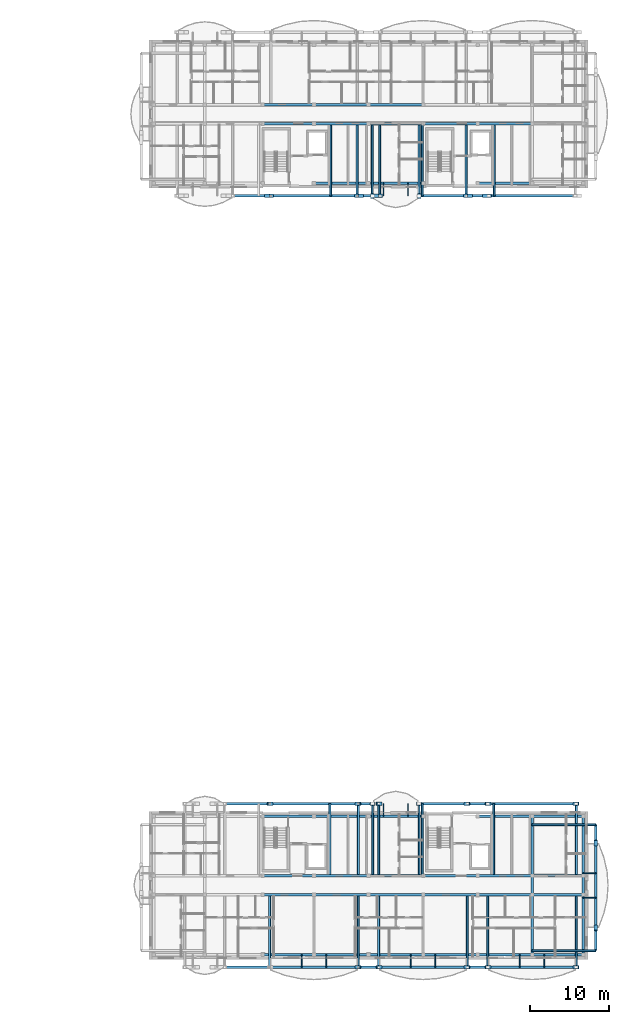
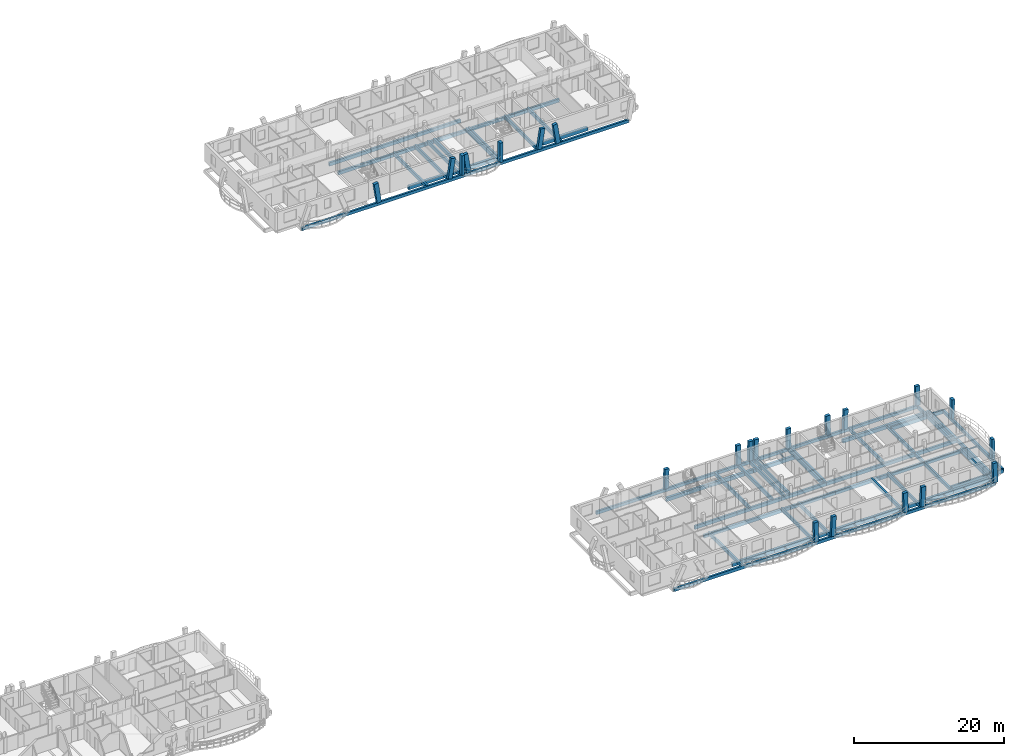
# One storey, part 7 of 52: 80 beams, 22 members.
"""IFC4 building model written with IfcOpenShell, lengths in metres."""

from ifc_helpers import new_model, si_unit, direction, frame, origin, origin_2d, place, context, subcontext, project, spatial, rectangle, i_section, extrude, material, material_profile, profile_set, type_object, element, save


model = new_model("IFC4")

# Units and contexts
model_context = context("Model", 3, precision=1e-05, world=origin(), true_north=direction((0.0, 1.0)))
body_context = subcontext(model_context, "Body", "Model", "MODEL_VIEW")
ifc_project = project(units=[si_unit("LENGTHUNIT", "METRE"), si_unit("AREAUNIT", "SQUARE_METRE"), si_unit("VOLUMEUNIT", "CUBIC_METRE"), si_unit("PLANEANGLEUNIT", "RADIAN"), si_unit("MASSUNIT", "GRAM", prefix="KILO")], contexts=[model_context])

# Site, building, storey
site_placement = place(None, origin())
site = spatial("IfcSite", under=ifc_project, at=site_placement, CompositionType="ELEMENT")
building_placement = place(site_placement, origin())
building = spatial("IfcBuilding", under=site, at=building_placement, Name="Zavelmont Quarter", CompositionType="ELEMENT")
storey_placement = place(building_placement, frame((0.0, 0.0, 14.39990234375)))
storey = spatial("IfcBuildingStorey", under=building, at=storey_placement, Name="L04", CompositionType="ELEMENT", Elevation=14.39990234375)

# Beams
ifc_material_1 = material(Name="Concrete C35/45", Category="concrete")
ifc_material_profile_1 = material_profile(ifc_material_1, rectangle(XDim=0.35009765625, YDim=0.60009765625, at=origin_2d()), Name="RC350X600")
ifc_profile_set_1 = profile_set([ifc_material_profile_1], Name="Concrete C35/45")
beam_type_1 = type_object("IfcBeamType", Name="BM01", PredefinedType="SPANDREL", material=ifc_profile_set_1)
beam_1_placement = place(storey_placement, frame((133.5, 98.0400390625, -0.559814453125), z_axis=(1.0, 0.0, 0.0), x_axis=(0.0, 1.0, 0.0)))
element("IfcBeam", 1, at=beam_1_placement, inside=storey, type_object=beam_type_1, Name="L04 beam BM01 20/P to 21/P", PredefinedType="SPANDREL", context=body_context, shape_type="SweptSolid", body=[
    extrude(rectangle(XDim=0.35009765625, YDim=0.60009765625, at=origin_2d()), origin(), (0.0, 0.0, 1.0), 6.89990234375),
])
for number, where, z_axis, x_axis, name in (
    (2, (140.39990234375, 98.0400390625, -0.559814453125), (1.0, 0.0, 0.0), (0.0, 1.0, 0.0), "L04 beam BM01 21/P to 22/P"),
    (3, (154.199951171875, 98.0400390625, -0.559814453125), (1.0, 0.0, 0.0), (0.0, 1.0, 0.0), "L04 beam BM01 23/P to 24/P"),
):
    element("IfcBeam", number, at=place(storey_placement, frame(where, z_axis=z_axis, x_axis=x_axis)), inside=storey, type_object=beam_type_1, Name=name, PredefinedType="SPANDREL", context=body_context, shape_type="SweptSolid", body=[
        extrude(rectangle(XDim=0.35009765625, YDim=0.60009765625, at=origin_2d()), origin(), (0.0, 0.0, 1.0), 6.900146484375),
    ])
beam_2_placement = place(storey_placement, frame((127.0400390625, 0.43994140625, -0.559814453125), z_axis=(1.0, 0.0, 0.0), x_axis=(0.0, 1.0, 0.0)))
element("IfcBeam", 4, at=beam_2_placement, inside=storey, type_object=beam_type_1, Name="L04 beam BM01 19/A to 20/A", PredefinedType="SPANDREL", context=body_context, shape_type="SweptSolid", body=[
    extrude(rectangle(XDim=0.35009765625, YDim=0.60009765625, at=origin_2d()), origin(), (0.0, 0.0, 1.0), 6.4599609375),
])
beam_3_placement = place(storey_placement, frame((133.5, 0.43994140625, -0.559814453125), z_axis=(1.0, 0.0, 0.0), x_axis=(0.0, 1.0, 0.0)))
element("IfcBeam", 5, at=beam_3_placement, inside=storey, type_object=beam_type_1, Name="L04 beam BM01 20/A to 21/A", PredefinedType="SPANDREL", context=body_context, shape_type="SweptSolid", body=[
    extrude(rectangle(XDim=0.35009765625, YDim=0.60009765625, at=origin_2d()), origin(), (0.0, 0.0, 1.0), 6.89990234375),
])
beam_4_placement = place(storey_placement, frame((140.39990234375, 0.43994140625, -0.559814453125), z_axis=(1.0, 0.0, 0.0), x_axis=(0.0, 1.0, 0.0)))
element("IfcBeam", 6, at=beam_4_placement, inside=storey, type_object=beam_type_1, Name="L04 beam BM01 21/A to 22/A", PredefinedType="SPANDREL", context=body_context, shape_type="SweptSolid", body=[
    extrude(rectangle(XDim=0.35009765625, YDim=0.60009765625, at=origin_2d()), origin(), (0.0, 0.0, 1.0), 6.900146484375),
])
beam_5_placement = place(storey_placement, frame((147.300048828125, 0.43994140625, -0.559814453125), z_axis=(1.0, 0.0, 0.0), x_axis=(0.0, 1.0, 0.0)))
element("IfcBeam", 7, at=beam_5_placement, inside=storey, type_object=beam_type_1, Name="L04 beam BM01 22/A to 23/A", PredefinedType="SPANDREL", context=body_context, shape_type="SweptSolid", body=[
    extrude(rectangle(XDim=0.35009765625, YDim=0.60009765625, at=origin_2d()), origin(), (0.0, 0.0, 1.0), 6.89990234375),
])
beam_6_placement = place(storey_placement, frame((154.199951171875, 0.43994140625, -0.559814453125), z_axis=(1.0, 0.0, 0.0), x_axis=(0.0, 1.0, 0.0)))
element("IfcBeam", 8, at=beam_6_placement, inside=storey, type_object=beam_type_1, Name="L04 beam BM01 23/A to 24/A", PredefinedType="SPANDREL", context=body_context, shape_type="SweptSolid", body=[
    extrude(rectangle(XDim=0.35009765625, YDim=0.60009765625, at=origin_2d()), origin(), (0.0, 0.0, 1.0), 6.900146484375),
])
for number, where, z_axis, x_axis, name in (
    (9, (161.10009765625, 0.43994140625, -0.559814453125), (1.0, 0.0, 0.0), (0.0, 1.0, 0.0), "L04 beam BM01 24/A to 25/A"),
    (10, (127.0400390625, 17.9599609375, -0.559814453125), (1.0, 0.0, 0.0), (0.0, 1.0, 0.0), "L04 beam BM01 19/D to 20/D"),
):
    element("IfcBeam", number, at=place(storey_placement, frame(where, z_axis=z_axis, x_axis=x_axis)), inside=storey, type_object=beam_type_1, Name=name, PredefinedType="SPANDREL", context=body_context, shape_type="SweptSolid", body=[
        extrude(rectangle(XDim=0.35009765625, YDim=0.60009765625, at=origin_2d()), origin(), (0.0, 0.0, 1.0), 6.4599609375),
    ])
beam_7_placement = place(storey_placement, frame((133.5, 17.9599609375, -0.559814453125), z_axis=(1.0, 0.0, 0.0), x_axis=(0.0, 1.0, 0.0)))
element("IfcBeam", 11, at=beam_7_placement, inside=storey, type_object=beam_type_1, Name="L04 beam BM01 20/D to 21/D", PredefinedType="SPANDREL", context=body_context, shape_type="SweptSolid", body=[
    extrude(rectangle(XDim=0.35009765625, YDim=0.60009765625, at=origin_2d()), origin(), (0.0, 0.0, 1.0), 6.89990234375),
])
for number, where, z_axis, x_axis, name in (
    (12, (140.39990234375, 17.9599609375, -0.559814453125), (1.0, 0.0, 0.0), (0.0, 1.0, 0.0), "L04 beam BM01 21/D to 22/D"),
    (13, (154.199951171875, 17.9599609375, -0.559814453125), (1.0, 0.0, 0.0), (0.0, 1.0, 0.0), "L04 beam BM01 23/D to 24/D"),
):
    element("IfcBeam", number, at=place(storey_placement, frame(where, z_axis=z_axis, x_axis=x_axis)), inside=storey, type_object=beam_type_1, Name=name, PredefinedType="SPANDREL", context=body_context, shape_type="SweptSolid", body=[
        extrude(rectangle(XDim=0.35009765625, YDim=0.60009765625, at=origin_2d()), origin(), (0.0, 0.0, 1.0), 6.900146484375),
    ])
beam_8_placement = place(storey_placement, frame((161.10009765625, 17.9599609375, -0.559814453125), z_axis=(1.0, 0.0, 0.0), x_axis=(0.0, 1.0, 0.0)))
element("IfcBeam", 14, at=beam_8_placement, inside=storey, type_object=beam_type_1, Name="L04 beam BM01 24/D to 25/D", PredefinedType="SPANDREL", context=body_context, shape_type="SweptSolid", body=[
    extrude(rectangle(XDim=0.35009765625, YDim=0.60009765625, at=origin_2d()), origin(), (0.0, 0.0, 1.0), 6.4599609375),
])
ifc_material_profile_2 = material_profile(ifc_material_1, rectangle(XDim=0.300048828125, YDim=0.550048828125, at=origin_2d()), Name="RC300X550")
ifc_profile_set_2 = profile_set([ifc_material_profile_2], Name="Concrete C35/45")
beam_type_2 = type_object("IfcBeamType", Name="BM02", PredefinedType="SPANDREL", material=ifc_profile_set_2)
beam_9_placement = place(storey_placement, frame((127.0400390625, 105.60009765625, -0.534912109375), z_axis=(1.0, 0.0, 0.0), x_axis=(0.0, 1.0, 0.0)))
element("IfcBeam", 15, at=beam_9_placement, inside=storey, type_object=beam_type_2, Name="L04 beam BM02 19/Q to 20/Q", PredefinedType="SPANDREL", context=body_context, shape_type="SweptSolid", body=[
    extrude(rectangle(XDim=0.300048828125, YDim=0.550048828125, at=origin_2d()), origin(), (0.0, 0.0, 1.0), 6.4599609375),
])
beam_10_placement = place(storey_placement, frame((133.5, 105.60009765625, -0.534912109375), z_axis=(1.0, 0.0, 0.0), x_axis=(0.0, 1.0, 0.0)))
element("IfcBeam", 16, at=beam_10_placement, inside=storey, type_object=beam_type_2, Name="L04 beam BM02 20/Q to 21/Q", PredefinedType="SPANDREL", context=body_context, shape_type="SweptSolid", body=[
    extrude(rectangle(XDim=0.300048828125, YDim=0.550048828125, at=origin_2d()), origin(), (0.0, 0.0, 1.0), 6.89990234375),
])
beam_11_placement = place(storey_placement, frame((140.39990234375, 105.60009765625, -0.534912109375), z_axis=(1.0, 0.0, 0.0), x_axis=(0.0, 1.0, 0.0)))
element("IfcBeam", 17, at=beam_11_placement, inside=storey, type_object=beam_type_2, Name="L04 beam BM02 21/Q to 22/Q", PredefinedType="SPANDREL", context=body_context, shape_type="SweptSolid", body=[
    extrude(rectangle(XDim=0.300048828125, YDim=0.550048828125, at=origin_2d()), origin(), (0.0, 0.0, 1.0), 6.900146484375),
])
beam_12_placement = place(storey_placement, frame((147.300048828125, 105.60009765625, -0.534912109375), z_axis=(1.0, 0.0, 0.0), x_axis=(0.0, 1.0, 0.0)))
element("IfcBeam", 18, at=beam_12_placement, inside=storey, type_object=beam_type_2, Name="L04 beam BM02 22/Q to 23/Q", PredefinedType="SPANDREL", context=body_context, shape_type="SweptSolid", body=[
    extrude(rectangle(XDim=0.300048828125, YDim=0.550048828125, at=origin_2d()), origin(), (0.0, 0.0, 1.0), 6.89990234375),
])
beam_13_placement = place(storey_placement, frame((154.199951171875, 105.60009765625, -0.534912109375), z_axis=(1.0, 0.0, 0.0), x_axis=(0.0, 1.0, 0.0)))
element("IfcBeam", 19, at=beam_13_placement, inside=storey, type_object=beam_type_2, Name="L04 beam BM02 23/Q to 24/Q", PredefinedType="SPANDREL", context=body_context, shape_type="SweptSolid", body=[
    extrude(rectangle(XDim=0.300048828125, YDim=0.550048828125, at=origin_2d()), origin(), (0.0, 0.0, 1.0), 6.900146484375),
])
beam_14_placement = place(storey_placement, frame((127.0400390625, 108.0, -0.534912109375), z_axis=(1.0, 0.0, 0.0), x_axis=(0.0, 1.0, 0.0)))
element("IfcBeam", 20, at=beam_14_placement, inside=storey, type_object=beam_type_2, Name="L04 beam BM02 19/R to 20/R", PredefinedType="SPANDREL", context=body_context, shape_type="SweptSolid", body=[
    extrude(rectangle(XDim=0.300048828125, YDim=0.550048828125, at=origin_2d()), origin(), (0.0, 0.0, 1.0), 6.4599609375),
])
beam_15_placement = place(storey_placement, frame((133.5, 108.0, -0.534912109375), z_axis=(1.0, 0.0, 0.0), x_axis=(0.0, 1.0, 0.0)))
element("IfcBeam", 21, at=beam_15_placement, inside=storey, type_object=beam_type_2, Name="L04 beam BM02 20/R to 21/R", PredefinedType="SPANDREL", context=body_context, shape_type="SweptSolid", body=[
    extrude(rectangle(XDim=0.300048828125, YDim=0.550048828125, at=origin_2d()), origin(), (0.0, 0.0, 1.0), 6.89990234375),
])
beam_16_placement = place(storey_placement, frame((140.39990234375, 108.0, -0.534912109375), z_axis=(1.0, 0.0, 0.0), x_axis=(0.0, 1.0, 0.0)))
element("IfcBeam", 22, at=beam_16_placement, inside=storey, type_object=beam_type_2, Name="L04 beam BM02 21/R to 22/R", PredefinedType="SPANDREL", context=body_context, shape_type="SweptSolid", body=[
    extrude(rectangle(XDim=0.300048828125, YDim=0.550048828125, at=origin_2d()), origin(), (0.0, 0.0, 1.0), 6.900146484375),
])
beam_17_placement = place(storey_placement, frame((127.0400390625, 8.0, -0.534912109375), z_axis=(1.0, 0.0, 0.0), x_axis=(0.0, 1.0, 0.0)))
element("IfcBeam", 23, at=beam_17_placement, inside=storey, type_object=beam_type_2, Name="L04 beam BM02 19/B to 20/B", PredefinedType="SPANDREL", context=body_context, shape_type="SweptSolid", body=[
    extrude(rectangle(XDim=0.300048828125, YDim=0.550048828125, at=origin_2d()), origin(), (0.0, 0.0, 1.0), 6.4599609375),
])
beam_18_placement = place(storey_placement, frame((133.5, 8.0, -0.534912109375), z_axis=(1.0, 0.0, 0.0), x_axis=(0.0, 1.0, 0.0)))
element("IfcBeam", 24, at=beam_18_placement, inside=storey, type_object=beam_type_2, Name="L04 beam BM02 20/B to 21/B", PredefinedType="SPANDREL", context=body_context, shape_type="SweptSolid", body=[
    extrude(rectangle(XDim=0.300048828125, YDim=0.550048828125, at=origin_2d()), origin(), (0.0, 0.0, 1.0), 6.89990234375),
])
beam_19_placement = place(storey_placement, frame((140.39990234375, 8.0, -0.534912109375), z_axis=(1.0, 0.0, 0.0), x_axis=(0.0, 1.0, 0.0)))
element("IfcBeam", 25, at=beam_19_placement, inside=storey, type_object=beam_type_2, Name="L04 beam BM02 21/B to 22/B", PredefinedType="SPANDREL", context=body_context, shape_type="SweptSolid", body=[
    extrude(rectangle(XDim=0.300048828125, YDim=0.550048828125, at=origin_2d()), origin(), (0.0, 0.0, 1.0), 6.900146484375),
])
beam_20_placement = place(storey_placement, frame((147.300048828125, 8.0, -0.534912109375), z_axis=(1.0, 0.0, 0.0), x_axis=(0.0, 1.0, 0.0)))
element("IfcBeam", 26, at=beam_20_placement, inside=storey, type_object=beam_type_2, Name="L04 beam BM02 22/B to 23/B", PredefinedType="SPANDREL", context=body_context, shape_type="SweptSolid", body=[
    extrude(rectangle(XDim=0.300048828125, YDim=0.550048828125, at=origin_2d()), origin(), (0.0, 0.0, 1.0), 6.89990234375),
])
beam_21_placement = place(storey_placement, frame((154.199951171875, 8.0, -0.534912109375), z_axis=(1.0, 0.0, 0.0), x_axis=(0.0, 1.0, 0.0)))
element("IfcBeam", 27, at=beam_21_placement, inside=storey, type_object=beam_type_2, Name="L04 beam BM02 23/B to 24/B", PredefinedType="SPANDREL", context=body_context, shape_type="SweptSolid", body=[
    extrude(rectangle(XDim=0.300048828125, YDim=0.550048828125, at=origin_2d()), origin(), (0.0, 0.0, 1.0), 6.900146484375),
])
for number, where, z_axis, x_axis, name in (
    (28, (161.10009765625, 8.0, -0.534912109375), (1.0, 0.0, 0.0), (0.0, 1.0, 0.0), "L04 beam BM02 24/B to 25/B"),
    (29, (127.0400390625, 10.39990234375, -0.534912109375), (1.0, 0.0, 0.0), (0.0, 1.0, 0.0), "L04 beam BM02 19/C to 20/C"),
):
    element("IfcBeam", number, at=place(storey_placement, frame(where, z_axis=z_axis, x_axis=x_axis)), inside=storey, type_object=beam_type_2, Name=name, PredefinedType="SPANDREL", context=body_context, shape_type="SweptSolid", body=[
        extrude(rectangle(XDim=0.300048828125, YDim=0.550048828125, at=origin_2d()), origin(), (0.0, 0.0, 1.0), 6.4599609375),
    ])
beam_22_placement = place(storey_placement, frame((133.5, 10.39990234375, -0.534912109375), z_axis=(1.0, 0.0, 0.0), x_axis=(0.0, 1.0, 0.0)))
element("IfcBeam", 30, at=beam_22_placement, inside=storey, type_object=beam_type_2, Name="L04 beam BM02 20/C to 21/C", PredefinedType="SPANDREL", context=body_context, shape_type="SweptSolid", body=[
    extrude(rectangle(XDim=0.300048828125, YDim=0.550048828125, at=origin_2d()), origin(), (0.0, 0.0, 1.0), 6.89990234375),
])
beam_23_placement = place(storey_placement, frame((140.39990234375, 10.39990234375, -0.534912109375), z_axis=(1.0, 0.0, 0.0), x_axis=(0.0, 1.0, 0.0)))
element("IfcBeam", 31, at=beam_23_placement, inside=storey, type_object=beam_type_2, Name="L04 beam BM02 21/C to 22/C", PredefinedType="SPANDREL", context=body_context, shape_type="SweptSolid", body=[
    extrude(rectangle(XDim=0.300048828125, YDim=0.550048828125, at=origin_2d()), origin(), (0.0, 0.0, 1.0), 6.900146484375),
])
beam_24_placement = place(storey_placement, frame((147.300048828125, 10.39990234375, -0.534912109375), z_axis=(1.0, 0.0, 0.0), x_axis=(0.0, 1.0, 0.0)))
element("IfcBeam", 32, at=beam_24_placement, inside=storey, type_object=beam_type_2, Name="L04 beam BM02 22/C to 23/C", PredefinedType="SPANDREL", context=body_context, shape_type="SweptSolid", body=[
    extrude(rectangle(XDim=0.300048828125, YDim=0.550048828125, at=origin_2d()), origin(), (0.0, 0.0, 1.0), 6.89990234375),
])
beam_25_placement = place(storey_placement, frame((154.199951171875, 10.39990234375, -0.534912109375), z_axis=(1.0, 0.0, 0.0), x_axis=(0.0, 1.0, 0.0)))
element("IfcBeam", 33, at=beam_25_placement, inside=storey, type_object=beam_type_2, Name="L04 beam BM02 23/C to 24/C", PredefinedType="SPANDREL", context=body_context, shape_type="SweptSolid", body=[
    extrude(rectangle(XDim=0.300048828125, YDim=0.550048828125, at=origin_2d()), origin(), (0.0, 0.0, 1.0), 6.900146484375),
])
beam_26_placement = place(storey_placement, frame((161.10009765625, 10.39990234375, -0.534912109375), z_axis=(1.0, 0.0, 0.0), x_axis=(0.0, 1.0, 0.0)))
element("IfcBeam", 34, at=beam_26_placement, inside=storey, type_object=beam_type_2, Name="L04 beam BM02 24/C to 25/C", PredefinedType="SPANDREL", context=body_context, shape_type="SweptSolid", body=[
    extrude(rectangle(XDim=0.300048828125, YDim=0.550048828125, at=origin_2d()), origin(), (0.0, 0.0, 1.0), 6.4599609375),
])
beam_27_placement = place(storey_placement, frame((161.10009765625, 0.43994140625, -0.534912109375), z_axis=(0.0, 1.0, 0.0), x_axis=(-1.0, 0.0, 0.0)))
element("IfcBeam", 35, at=beam_27_placement, inside=storey, type_object=beam_type_2, Name="L04 beam BM02 24/A to 24/B", PredefinedType="SPANDREL", context=body_context, shape_type="SweptSolid", body=[
    extrude(rectangle(XDim=0.300048828125, YDim=0.550048828125, at=origin_2d()), origin(), (0.0, 0.0, 1.0), 7.56005859375),
])
beam_28_placement = place(storey_placement, frame((161.10009765625, 8.0, -0.534912109375), z_axis=(0.0, 1.0, 0.0), x_axis=(-1.0, 0.0, 0.0)))
element("IfcBeam", 36, at=beam_28_placement, inside=storey, type_object=beam_type_2, Name="L04 beam BM02 24/B to 24/C", PredefinedType="SPANDREL", context=body_context, shape_type="SweptSolid", body=[
    extrude(rectangle(XDim=0.300048828125, YDim=0.550048828125, at=origin_2d()), origin(), (0.0, 0.0, 1.0), 2.39990234375),
])
for number, where, z_axis, x_axis, name in (
    (37, (161.10009765625, 10.39990234375, -0.534912109375), (0.0, 1.0, 0.0), (-1.0, 0.0, 0.0), "L04 beam BM02 24/C to 24/D"),
    (38, (167.56005859375, 0.43994140625, -0.534912109375), (0.0, 1.0, 0.0), (-1.0, 0.0, 0.0), "L04 beam BM02 25/A to 25/B"),
):
    element("IfcBeam", number, at=place(storey_placement, frame(where, z_axis=z_axis, x_axis=x_axis)), inside=storey, type_object=beam_type_2, Name=name, PredefinedType="SPANDREL", context=body_context, shape_type="SweptSolid", body=[
        extrude(rectangle(XDim=0.300048828125, YDim=0.550048828125, at=origin_2d()), origin(), (0.0, 0.0, 1.0), 7.56005859375),
    ])
beam_29_placement = place(storey_placement, frame((167.56005859375, 8.0, -0.534912109375), z_axis=(0.0, 1.0, 0.0), x_axis=(-1.0, 0.0, 0.0)))
element("IfcBeam", 39, at=beam_29_placement, inside=storey, type_object=beam_type_2, Name="L04 beam BM02 25/B to 25/C", PredefinedType="SPANDREL", context=body_context, shape_type="SweptSolid", body=[
    extrude(rectangle(XDim=0.300048828125, YDim=0.550048828125, at=origin_2d()), origin(), (0.0, 0.0, 1.0), 2.39990234375),
])
beam_30_placement = place(storey_placement, frame((167.56005859375, 10.39990234375, -0.534912109375), z_axis=(0.0, 1.0, 0.0), x_axis=(-1.0, 0.0, 0.0)))
element("IfcBeam", 40, at=beam_30_placement, inside=storey, type_object=beam_type_2, Name="L04 beam BM02 25/C to 25/D", PredefinedType="SPANDREL", context=body_context, shape_type="SweptSolid", body=[
    extrude(rectangle(XDim=0.300048828125, YDim=0.550048828125, at=origin_2d()), origin(), (0.0, 0.0, 1.0), 7.56005859375),
])
ifc_material_profile_3 = material_profile(ifc_material_1, rectangle(XDim=0.300048828125, YDim=0.5, at=origin_2d()), Name="RC300X500")
ifc_profile_set_3 = profile_set([ifc_material_profile_3], Name="Concrete C35/45")
beam_type_3 = type_object("IfcBeamType", Name="BM03", PredefinedType="BEAM", material=ifc_profile_set_3)
beam_31_placement = place(storey_placement, frame((116.178955078125, 96.449951171875, -0.25), z_axis=(1.0, 0.0, 0.0), x_axis=(0.0, 1.0, 0.0)))
element("IfcBeam", 41, at=beam_31_placement, inside=storey, type_object=beam_type_3, Name="L04 beam BM03 17/P to 25/P", PredefinedType="BEAM", context=body_context, shape_type="SweptSolid", body=[
    extrude(rectangle(XDim=0.300048828125, YDim=0.5, at=origin_2d()), origin(), (0.0, 0.0, 1.0), 50.382080078125),
])
for number, where, z_axis, x_axis, name in (
    (42, (117.177001953125, -1.14990234375, -0.25), (1.0, 0.0, 0.0), (0.0, 1.0, 0.0), "L04 beam BM03 18/A to 25/A"),
    (43, (117.177001953125, 19.550048828125, -0.25), (1.0, 0.0, 0.0), (0.0, 1.0, 0.0), "L04 beam BM03 18/D to 25/D"),
):
    element("IfcBeam", number, at=place(storey_placement, frame(where, z_axis=z_axis, x_axis=x_axis)), inside=storey, type_object=beam_type_3, Name=name, PredefinedType="BEAM", context=body_context, shape_type="SweptSolid", body=[
        extrude(rectangle(XDim=0.300048828125, YDim=0.5, at=origin_2d()), origin(), (0.0, 0.0, 1.0), 49.531982421875),
    ])
beam_32_placement = place(storey_placement, frame((169.14990234375, 0.949951171875, -0.25), z_axis=(0.0, 1.0, 0.0), x_axis=(-1.0, 0.0, 0.0)))
element("IfcBeam", 44, at=beam_32_placement, inside=storey, type_object=beam_type_3, Name="L04 beam BM03 25/A to 25/D", PredefinedType="BEAM", context=body_context, shape_type="SweptSolid", body=[
    extrude(rectangle(XDim=0.300048828125, YDim=0.5, at=origin_2d()), origin(), (0.0, 0.0, 1.0), 15.949951171875),
])
ifc_material_2 = material(Name="Steel S355", Category="steel")
ifc_material_profile_4 = material_profile(ifc_material_2, i_section(OverallWidth=0.110107421875, OverallDepth=0.219970703125, WebThickness=0.005859375, FlangeThickness=0.00927734375, at=origin_2d()), Name="IPE 220")
ifc_profile_set_4 = profile_set([ifc_material_profile_4], Name="Steel S355")
beam_type_4 = type_object("IfcBeamType", Name="BM15", PredefinedType="JOIST", material=ifc_profile_set_4)
for number, where, z_axis, x_axis, name in (
    (45, (142.300048828125, 98.0400390625, -0.371826171875), (0.0, -1.0, 0.0), (1.0, 0.0, 0.0), "L04 beam BM15 21/P to 21/P"),
    (46, (145.39990234375, 98.0400390625, -0.371826171875), (0.0, -1.0, 0.0), (1.0, 0.0, 0.0), "L04 beam BM15 22/P to 22/P"),
):
    element("IfcBeam", number, at=place(storey_placement, frame(where, z_axis=z_axis, x_axis=x_axis)), inside=storey, type_object=beam_type_4, Name=name, PredefinedType="JOIST", context=body_context, shape_type="SweptSolid", body=[
        extrude(i_section(OverallWidth=0.110107421875, OverallDepth=0.219970703125, WebThickness=0.005859375, FlangeThickness=0.00927734375, at=origin_2d()), origin(), (0.0, 0.0, 1.0), 1.590087890625),
    ])
for number, where, z_axis, x_axis, name in (
    (47, (131.949951171875, 0.43994140625, -0.371826171875), (0.0, -1.0, 0.0), (1.0, 0.0, 0.0), "L04 beam BM15 20/A to 20/A"),
    (48, (135.050048828125, 0.43994140625, -0.371826171875), (0.0, -1.0, 0.0), (1.0, 0.0, 0.0), "L04 beam BM15 20/A to 20/A"),
    (49, (145.75, 0.43994140625, -0.371826171875), (0.0, -1.0, 0.0), (1.0, 0.0, 0.0), "L04 beam BM15 22/A to 22/A"),
    (50, (148.85009765625, 0.43994140625, -0.371826171875), (0.0, -1.0, 0.0), (1.0, 0.0, 0.0), "L04 beam BM15 22/A to 22/A"),
    (51, (159.550048828125, 0.43994140625, -0.371826171875), (0.0, -1.0, 0.0), (1.0, 0.0, 0.0), "L04 beam BM15 24/A to 24/A"),
    (52, (162.64990234375, 0.43994140625, -0.371826171875), (0.0, -1.0, 0.0), (1.0, 0.0, 0.0), "L04 beam BM15 24/A to 24/A"),
    (53, (167.56005859375, 7.64990234375, -0.371826171875), (1.0, 0.0, 0.0), (0.0, 1.0, 0.0), "L04 beam BM15 25/B to 25/B"),
    (54, (167.56005859375, 10.75, -0.371826171875), (1.0, 0.0, 0.0), (0.0, 1.0, 0.0), "L04 beam BM15 25/C to 25/C"),
):
    element("IfcBeam", number, at=place(storey_placement, frame(where, z_axis=z_axis, x_axis=x_axis)), inside=storey, type_object=beam_type_4, Name=name, PredefinedType="JOIST", context=body_context, shape_type="SweptSolid", body=[
        extrude(i_section(OverallWidth=0.110107421875, OverallDepth=0.219970703125, WebThickness=0.005859375, FlangeThickness=0.00927734375, at=origin_2d()), origin(), (0.0, 0.0, 1.0), 1.58984375),
    ])
for number, where, z_axis, x_axis, name in (
    (55, (142.300048828125, 17.9599609375, -0.371826171875), (0.0, 1.0, 0.0), (-1.0, 0.0, 0.0), "L04 beam BM15 21/D to 21/D"),
    (56, (145.39990234375, 17.9599609375, -0.371826171875), (0.0, 1.0, 0.0), (-1.0, 0.0, 0.0), "L04 beam BM15 22/D to 22/D"),
):
    element("IfcBeam", number, at=place(storey_placement, frame(where, z_axis=z_axis, x_axis=x_axis)), inside=storey, type_object=beam_type_4, Name=name, PredefinedType="JOIST", context=body_context, shape_type="SweptSolid", body=[
        extrude(i_section(OverallWidth=0.110107421875, OverallDepth=0.219970703125, WebThickness=0.005859375, FlangeThickness=0.00927734375, at=origin_2d()), origin(), (0.0, 0.0, 1.0), 1.590087890625),
    ])
ifc_material_3 = material(Name="Concrete C40/50", Category="concrete")
ifc_material_profile_5 = material_profile(ifc_material_3, rectangle(XDim=0.25, YDim=0.60009765625, at=origin_2d()), Name="RC250X600")
ifc_profile_set_5 = profile_set([ifc_material_profile_5], Name="Concrete C40/50")
beam_type_5 = type_object("IfcBeamType", Name="BM18", PredefinedType="BEAM", material=ifc_profile_set_5)
for number, where, z_axis, x_axis, name in (
    (57, (135.625, 105.60009765625, -0.2998046875), (0.0, -1.0, 0.0), (1.0, 0.0, 0.0), "L04 beam BM18 20/Q to 20/P"),
    (58, (138.9609375, 105.60009765625, -0.2998046875), (0.0, -1.0, 0.0), (1.0, 0.0, 0.0), "L04 beam BM18 21/Q to 21/P"),
    (59, (141.839111328125, 105.60009765625, -0.2998046875), (0.0, -1.0, 0.0), (1.0, 0.0, 0.0), "L04 beam BM18 21/Q to 21/P"),
    (60, (152.760986328125, 105.60009765625, -0.2998046875), (0.0, -1.0, 0.0), (1.0, 0.0, 0.0), "L04 beam BM18 23/Q to 23/P"),
    (61, (147.199951171875, 105.60009765625, -0.2998046875), (0.0, -1.0, 0.0), (1.0, 0.0, 0.0), "L04 beam BM18 22/Q to 22/P"),
    (62, (156.324951171875, 105.60009765625, -0.2998046875), (0.0, -1.0, 0.0), (1.0, 0.0, 0.0), "L04 beam BM18 23/Q to 23/P"),
    (63, (140.89990234375, 105.60009765625, -0.2998046875), (0.0, -1.0, 0.0), (1.0, 0.0, 0.0), "L04 beam BM18 21/Q to 21/P"),
    (64, (146.800048828125, 105.60009765625, -0.2998046875), (0.0, -1.0, 0.0), (1.0, 0.0, 0.0), "L04 beam BM18 22/Q to 22/P"),
):
    element("IfcBeam", number, at=place(storey_placement, frame(where, z_axis=z_axis, x_axis=x_axis)), inside=storey, type_object=beam_type_5, Name=name, PredefinedType="BEAM", context=body_context, shape_type="SweptSolid", body=[
        extrude(rectangle(XDim=0.25, YDim=0.60009765625, at=origin_2d()), origin(), (0.0, 0.0, 1.0), 9.150146484375),
    ])
for number, where, z_axis, x_axis, name in (
    (65, (127.89111328125, 8.0, -0.2998046875), (0.0, -1.0, 0.0), (1.0, 0.0, 0.0), "L04 beam BM18 19/B to 19/A"),
    (66, (139.10888671875, 8.0, -0.2998046875), (0.0, -1.0, 0.0), (1.0, 0.0, 0.0), "L04 beam BM18 21/B to 21/A"),
    (67, (141.69091796875, 8.0, -0.2998046875), (0.0, -1.0, 0.0), (1.0, 0.0, 0.0), "L04 beam BM18 21/B to 21/A"),
    (68, (152.908935546875, 8.0, -0.2998046875), (0.0, -1.0, 0.0), (1.0, 0.0, 0.0), "L04 beam BM18 23/B to 23/A"),
    (69, (155.490966796875, 8.0, -0.2998046875), (0.0, -1.0, 0.0), (1.0, 0.0, 0.0), "L04 beam BM18 23/B to 23/A"),
    (70, (166.708984375, 8.0, -0.2998046875), (0.0, -1.0, 0.0), (1.0, 0.0, 0.0), "L04 beam BM18 25/B to 25/A"),
):
    element("IfcBeam", number, at=place(storey_placement, frame(where, z_axis=z_axis, x_axis=x_axis)), inside=storey, type_object=beam_type_5, Name=name, PredefinedType="BEAM", context=body_context, shape_type="SweptSolid", body=[
        extrude(rectangle(XDim=0.25, YDim=0.60009765625, at=origin_2d()), origin(), (0.0, 0.0, 1.0), 9.14990234375),
    ])
for number, where, z_axis, x_axis, name in (
    (71, (135.52490234375, 10.39990234375, -0.2998046875), (0.0, 1.0, 0.0), (-1.0, 0.0, 0.0), "L04 beam BM18 20/C to 20/D"),
    (72, (139.10888671875, 10.39990234375, -0.2998046875), (0.0, 1.0, 0.0), (-1.0, 0.0, 0.0), "L04 beam BM18 21/C to 21/D"),
    (73, (141.69091796875, 10.39990234375, -0.2998046875), (0.0, 1.0, 0.0), (-1.0, 0.0, 0.0), "L04 beam BM18 21/C to 21/D"),
    (74, (147.199951171875, 10.39990234375, -0.2998046875), (0.0, 1.0, 0.0), (-1.0, 0.0, 0.0), "L04 beam BM18 22/C to 22/D"),
    (75, (156.22509765625, 10.39990234375, -0.2998046875), (0.0, 1.0, 0.0), (-1.0, 0.0, 0.0), "L04 beam BM18 23/C to 23/D"),
    (76, (166.708984375, 10.39990234375, -0.2998046875), (0.0, 1.0, 0.0), (-1.0, 0.0, 0.0), "L04 beam BM18 25/C to 25/D"),
    (77, (140.911376953125, 10.39990234375, -0.2998046875), (0.0, 1.0, 0.0), (-1.0, 0.0, 0.0), "L04 beam BM18 21/C to 21/D"),
    (78, (146.788818359375, 10.39990234375, -0.2998046875), (0.0, 1.0, 0.0), (-1.0, 0.0, 0.0), "L04 beam BM18 22/C to 22/D"),
):
    element("IfcBeam", number, at=place(storey_placement, frame(where, z_axis=z_axis, x_axis=x_axis)), inside=storey, type_object=beam_type_5, Name=name, PredefinedType="BEAM", context=body_context, shape_type="SweptSolid", body=[
        extrude(rectangle(XDim=0.25, YDim=0.60009765625, at=origin_2d()), origin(), (0.0, 0.0, 1.0), 9.150146484375),
    ])
for number, where, z_axis, x_axis, name in (
    (79, (161.10009765625, 0.949951171875, -0.2998046875), (1.0, 0.0, 0.0), (0.0, 1.0, 0.0), "L04 beam BM18 24/A to 25/A"),
    (80, (161.10009765625, 16.89990234375, -0.2998046875), (1.0, 0.0, 0.0), (0.0, 1.0, 0.0), "L04 beam BM18 24/D to 25/D"),
):
    element("IfcBeam", number, at=place(storey_placement, frame(where, z_axis=z_axis, x_axis=x_axis)), inside=storey, type_object=beam_type_5, Name=name, PredefinedType="BEAM", context=body_context, shape_type="SweptSolid", body=[
        extrude(rectangle(XDim=0.25, YDim=0.60009765625, at=origin_2d()), origin(), (0.0, 0.0, 1.0), 8.0498046875),
    ])

# Members
ifc_material_4 = material(Name="White architectural precast concrete C40/50", Category="concrete")
ifc_material_profile_6 = material_profile(ifc_material_4, rectangle(XDim=0.43994140625, YDim=0.659912109375, at=origin_2d()), Name="PCR320X480")
ifc_profile_set_6 = profile_set([ifc_material_profile_6], Name="White architectural precast concrete C40/50")
member_type = type_object("IfcMemberType", Name="VR01M", PredefinedType="CHORD", material=ifc_profile_set_6)
for number, where, z_axis, x_axis, name in (
    (81, (128.0390625, 96.449951171875, 0.0), (-0.148399480207, 0.0, 0.988927496976), (0.0, -1.0, 0.0), "L04 member VR01M 19/P to 19/P"),
    (82, (138.9609375, 96.449951171875, 0.0), (0.148399480207, 0.0, 0.988927496976), (0.0, 1.0, 0.0), "L04 member VR01M 21/P to 21/P"),
    (83, (141.839111328125, 96.449951171875, 0.0), (-0.148399480207, 0.0, 0.988927496976), (0.0, -1.0, 0.0), "L04 member VR01M 21/P to 21/P"),
    (84, (152.760986328125, 96.449951171875, 0.0), (0.148399480207, 0.0, 0.988927496976), (0.0, 1.0, 0.0), "L04 member VR01M 23/P to 23/P"),
    (85, (155.638916015625, 96.449951171875, 0.0), (-0.148399480207, 0.0, 0.988927496976), (0.0, -1.0, 0.0), "L04 member VR01M 23/P to 23/P"),
):
    element("IfcMember", number, at=place(storey_placement, frame(where, z_axis=z_axis, x_axis=x_axis)), inside=storey, type_object=member_type, Name=name, PredefinedType="CHORD", context=body_context, shape_type="SweptSolid", body=[
        extrude(rectangle(XDim=0.43994140625, YDim=0.659912109375, at=origin_2d()), origin(), (0.0, 0.0, 1.0), 3.236083984375),
    ])
for number, where, z_axis, x_axis, name in (
    (86, (140.89990234375, 96.449951171875, 0.0), (0.0, 0.0, 1.0), (1.0, 0.0, 0.0), "L04 member VR01M 21/P to 21/P"),
    (87, (146.800048828125, 96.449951171875, 0.0), (0.0, 0.0, 1.0), (1.0, 0.0, 0.0), "L04 member VR01M 22/P to 22/P"),
):
    element("IfcMember", number, at=place(storey_placement, frame(where, z_axis=z_axis, x_axis=x_axis)), inside=storey, type_object=member_type, Name=name, PredefinedType="CHORD", context=body_context, shape_type="SweptSolid", body=[
        extrude(rectangle(XDim=0.43994140625, YDim=0.659912109375, at=origin_2d()), origin(), (0.0, 0.0, 1.0), 3.2001953125),
    ])
for number, where, z_axis, x_axis, name in (
    (88, (139.10888671875, -1.14990234375, 0.0), (-0.031796547828, 0.0, 0.999494361938), (0.0, -1.0, 0.0), "L04 member VR01M 21/A to 21/A"),
    (89, (141.69091796875, -1.14990234375, 0.0), (0.031872721174, 0.0, 0.999491935758), (0.0, 1.0, 0.0), "L04 member VR01M 21/A to 21/A"),
    (90, (152.908935546875, -1.14990234375, 0.0), (-0.031872721174, 0.0, 0.999491935758), (0.0, -1.0, 0.0), "L04 member VR01M 23/A to 23/A"),
    (91, (155.490966796875, -1.14990234375, 0.0), (0.031872721174, 0.0, 0.999491935758), (0.0, 1.0, 0.0), "L04 member VR01M 23/A to 23/A"),
    (92, (166.708984375, -1.14990234375, 0.0), (-0.031872721174, 0.0, 0.999491935758), (0.0, -1.0, 0.0), "L04 member VR01M 25/A to 25/A"),
    (93, (127.89111328125, 19.550048828125, 0.0), (0.031796547828, 0.0, 0.999494361938), (0.0, 1.0, 0.0), "L04 member VR01M 19/D to 19/D"),
    (94, (139.10888671875, 19.550048828125, 0.0), (-0.031796547828, 0.0, 0.999494361938), (0.0, -1.0, 0.0), "L04 member VR01M 21/D to 21/D"),
    (95, (141.69091796875, 19.550048828125, 0.0), (0.031872721174, 0.0, 0.999491935758), (0.0, 1.0, 0.0), "L04 member VR01M 21/D to 21/D"),
    (96, (152.908935546875, 19.550048828125, 0.0), (-0.031872721174, 0.0, 0.999491935758), (0.0, -1.0, 0.0), "L04 member VR01M 23/D to 23/D"),
    (97, (155.490966796875, 19.550048828125, 0.0), (0.031872721174, 0.0, 0.999491935758), (0.0, 1.0, 0.0), "L04 member VR01M 23/D to 23/D"),
    (98, (166.708984375, 19.550048828125, 0.0), (-0.031872721174, 0.0, 0.999491935758), (0.0, -1.0, 0.0), "L04 member VR01M 25/D to 25/D"),
):
    element("IfcMember", number, at=place(storey_placement, frame(where, z_axis=z_axis, x_axis=x_axis)), inside=storey, type_object=member_type, Name=name, PredefinedType="CHORD", context=body_context, shape_type="SweptSolid", body=[
        extrude(rectangle(XDim=0.43994140625, YDim=0.659912109375, at=origin_2d()), origin(), (0.0, 0.0, 1.0), 3.201904296875),
    ])
for number, where, z_axis, x_axis, name in (
    (99, (140.911376953125, 19.550048828125, 0.0), (0.002822692447, 0.0, 0.999996016196), (0.0, 1.0, 0.0), "L04 member VR01M 21/D to 21/D"),
    (100, (146.788818359375, 19.550048828125, 0.0), (-0.002822692447, 0.0, 0.999996016196), (0.0, -1.0, 0.0), "L04 member VR01M 22/D to 22/D"),
):
    element("IfcMember", number, at=place(storey_placement, frame(where, z_axis=z_axis, x_axis=x_axis)), inside=storey, type_object=member_type, Name=name, PredefinedType="CHORD", context=body_context, shape_type="SweptSolid", body=[
        extrude(rectangle(XDim=0.43994140625, YDim=0.659912109375, at=origin_2d()), origin(), (0.0, 0.0, 1.0), 3.2001953125),
    ])
for number, where, z_axis, x_axis, name in (
    (101, (169.14990234375, 3.78271484375, 0.0), (0.0, 0.029892037551, 0.999553133201), (-1.0, 0.0, 0.0), "L04 member VR01M 25/A to 25/A"),
    (102, (169.14990234375, 14.6171875, 0.0), (0.0, -0.029815850229, 0.999555408707), (1.0, 0.0, 0.0), "L04 member VR01M 25/D to 25/D"),
):
    element("IfcMember", number, at=place(storey_placement, frame(where, z_axis=z_axis, x_axis=x_axis)), inside=storey, type_object=member_type, Name=name, PredefinedType="CHORD", context=body_context, shape_type="SweptSolid", body=[
        extrude(rectangle(XDim=0.43994140625, YDim=0.659912109375, at=origin_2d()), origin(), (0.0, 0.0, 1.0), 3.20166015625),
    ])

save(model, "model.ifc")
